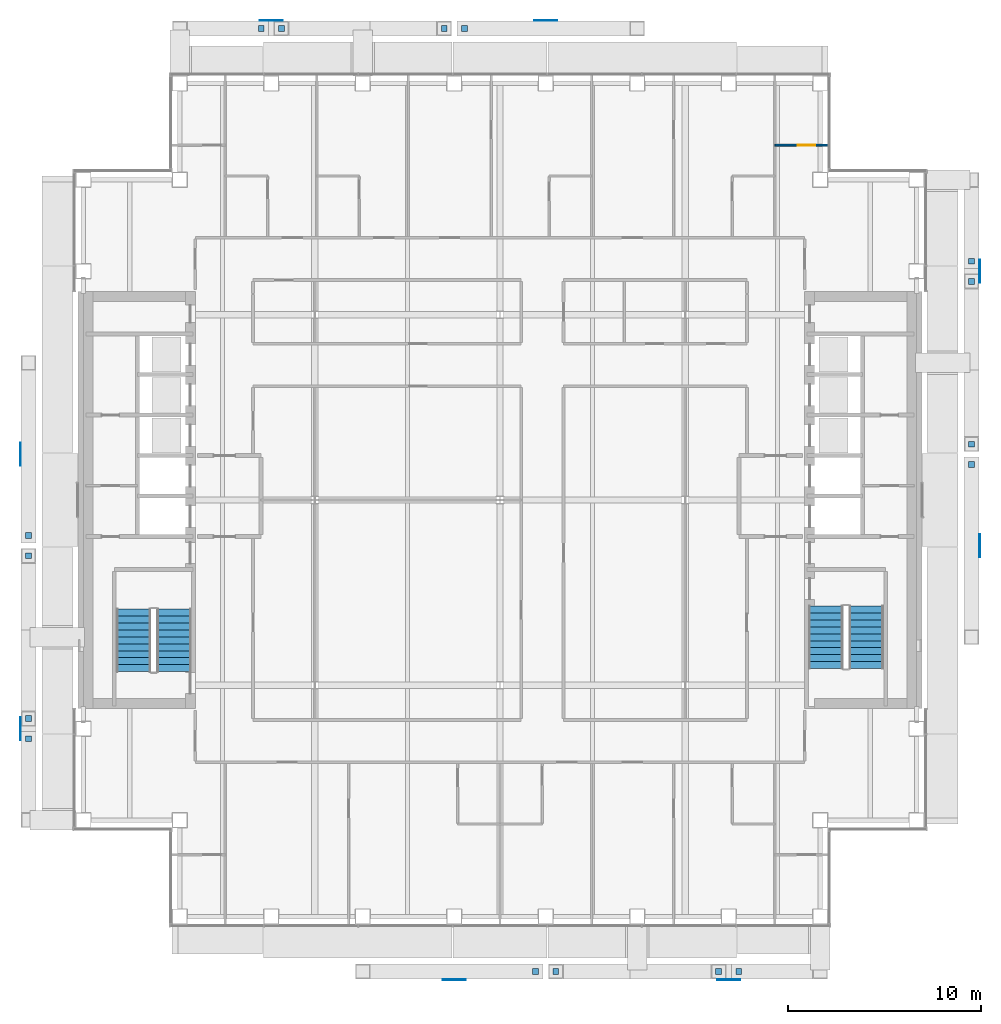
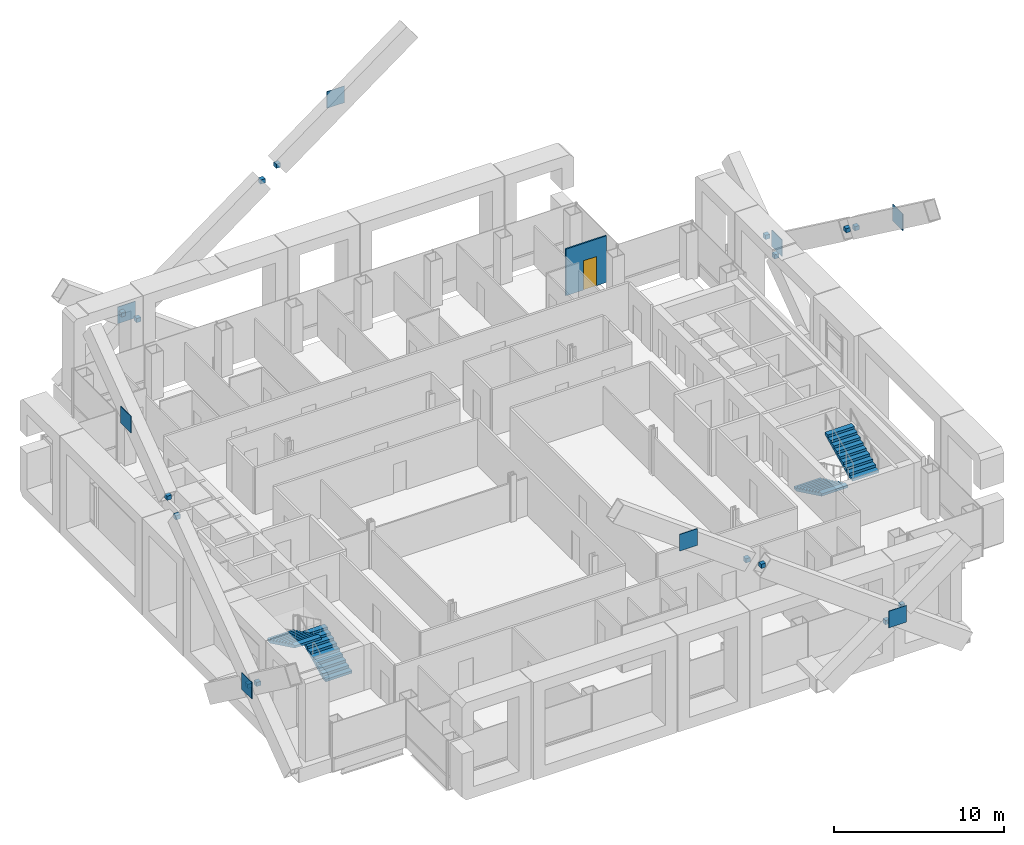
# One storey, part 16 of 22: 24 discrete accessories, 4 stair flights, 1 door, 1 wall, 1 opening, 2 elements without a shape of their own.
"""IFC4 building model written with IfcOpenShell, lengths in metres."""

from ifc_helpers import new_model, si_unit, direction, frame, frame_2d, origin, origin_2d, place, context, subcontext, project, spatial, polyline, rectangle, outline, extrude, material, layer, layer_set, type_object, element, fill, aggregate, save


model = new_model("IFC4")

# Units and contexts
model_context = context("Model", 3, precision=1e-05, world=origin(), true_north=direction((0.0, 1.0)))
body_context = subcontext(model_context, "Body", "Model", "MODEL_VIEW")
ifc_project = project(units=[si_unit("LENGTHUNIT", "METRE"), si_unit("AREAUNIT", "SQUARE_METRE"), si_unit("VOLUMEUNIT", "CUBIC_METRE"), si_unit("PLANEANGLEUNIT", "RADIAN"), si_unit("MASSUNIT", "GRAM", prefix="KILO")], contexts=[model_context])

# Site, building, storey
site_placement = place(None, origin())
site = spatial("IfcSite", under=ifc_project, at=site_placement, CompositionType="ELEMENT")
building_placement = place(site_placement, origin())
building = spatial("IfcBuilding", under=site, at=building_placement, Name="Cobrizo Arcos Hotel Tower", CompositionType="ELEMENT")
storey_placement = place(building_placement, frame((0.0, 0.0, 169.0)))
storey = spatial("IfcBuildingStorey", under=building, at=storey_placement, Name="L43", CompositionType="ELEMENT", Elevation=169.0)

# Wall, opening, door
ifc_material_1 = material(Name="Gypsum board partition")
ifc_layer = layer(ifc_material_1, 0.10009765625)
ifc_layer_set = layer_set([ifc_layer], Name="Partition EI 30 100")
wall_type = type_object("IfcWallType", Name="Partition EI 30 100", PredefinedType="PARTITIONING", material=ifc_layer_set)
wall_placement = place(storey_placement, frame((14.25, 18.39990234375, 0.0), z_axis=(0.0, 0.0, 1.0), x_axis=(1.0, 0.0, 0.0)))
wall = element("IfcWall", 1, at=wall_placement, inside=storey, type_object=wall_type, Name="Partition 045", PredefinedType="PARTITIONING", context=body_context, shape_type="SweptSolid", body=[
    extrude(rectangle(XDim=2.780029296875, YDim=0.10009765625, at=frame_2d((1.39013671875, 0.0))), origin(), (0.0, 0.0, 1.0), 3.35009765625),
])
opening_placement = place(wall_placement, frame((1.18896484375, 0.0, 0.0)))
opening = element("IfcOpeningElement", 2, at=opening_placement, cuts=wall, Name="Opening ED-11", PredefinedType="OPENING", context=body_context, shape_type="SweptSolid", body=[
    extrude(rectangle(XDim=0.89990234375, YDim=2.10009765625, at=frame_2d((0.449951171875, 1.050048828125))), frame((0.0, 0.06201171875, 0.0), z_axis=(0.0, -1.0, 0.0), x_axis=(1.0, 0.0, 0.0)), (0.0, 0.0, 1.0), 0.1240234375),
])
ifc_material_2 = material(Name="Timber door leaf", Category="wood")
door_type = type_object("IfcDoorType", Name="En-suite door 900x2100", OperationType="SINGLE_SWING_LEFT", PredefinedType="DOOR", material=ifc_material_2)
door_placement = place(opening_placement, origin())
door = element("IfcDoor", 3, at=door_placement, inside=storey, type_object=door_type, Name="Door ED-11", OperationType="SINGLE_SWING_LEFT", OverallHeight=2.10009765625, OverallWidth=0.89990234375, PredefinedType="DOOR", context=body_context, shape_type="SweptSolid", body=[
    extrude(rectangle(XDim=0.89990234375, YDim=2.10009765625, at=frame_2d((0.449951171875, 1.050048828125))), frame((0.0, 0.02490234375, 0.0), z_axis=(0.0, -1.0, 0.0), x_axis=(1.0, 0.0, 0.0)), (0.0, 0.0, 1.0), 0.050048828125),
])
fill(opening, door)

# Stair, stair flights
ifc_material_3 = material(Name="Concrete f'c 40 MPa", Category="concrete")
stair_type = type_object("IfcStairType", Name="Exit stair", PredefinedType="HALF_TURN_STAIR", material=ifc_material_3)
stair_1_placement = place(storey_placement, origin())
stair_1 = element("IfcStair", 4, at=stair_1_placement, inside=storey, type_object=stair_type, Name="L43 Exit stair ST-W", PredefinedType="HALF_TURN_STAIR")
stair_flight_type = type_object("IfcStairFlightType", Name="Exit stair flight", PredefinedType="STRAIGHT", material=ifc_material_3)
stair_flight_1_placement = place(storey_placement, frame((-16.89990234375, -8.89990234375, 0.0), z_axis=(0.0, 0.0, 1.0), x_axis=(0.0, 1.0, 0.0)))
stair_flight_1 = element("IfcStairFlight", 5, at=stair_flight_1_placement, type_object=stair_flight_type, Name="ST-W flight 1", NumberOfRisers=10, NumberOfTreads=9, PredefinedType="STRAIGHT", RiserHeight=0.175, TreadLength=0.36, context=body_context, shape_type="SweptSolid", body=[
    extrude(outline(polyline([(0.0, 0.0), (0.0, 0.175048828125), (0.360107421875, 0.175048828125), (0.360107421875, 0.35009765625), (0.719970703125, 0.35009765625), (0.719970703125, 0.52490234375), (1.080078125, 0.52490234375), (1.080078125, 0.699951171875), (1.43994140625, 0.699951171875), (1.43994140625, 0.875), (1.800048828125, 0.875), (1.800048828125, 1.050048828125), (2.159912109375, 1.050048828125), (2.159912109375, 1.22509765625), (2.52001953125, 1.22509765625), (2.52001953125, 1.39990234375), (2.8798828125, 1.39990234375), (2.8798828125, 1.574951171875), (3.239990234375, 1.574951171875), (3.239990234375, 1.75), (3.239990234375, 1.408203125), (0.3427734375, 0.0), (0.0, 0.0)])), frame((0.0, 0.89990234375, 0.0), z_axis=(0.0, -1.0, 0.0), x_axis=(1.0, 0.0, 0.0)), (0.0, 0.0, 1.0), 1.800048828125),
])
stair_flight_2_placement = place(storey_placement, frame((-19.0, -5.659912109375, 1.75), z_axis=(0.0, 0.0, 1.0), x_axis=(0.0, -1.0, 0.0)))
stair_flight_2 = element("IfcStairFlight", 6, at=stair_flight_2_placement, type_object=stair_flight_type, Name="ST-W flight 2", NumberOfRisers=10, NumberOfTreads=9, PredefinedType="STRAIGHT", RiserHeight=0.175, TreadLength=0.36, context=body_context, shape_type="SweptSolid", body=[
    extrude(outline(polyline([(0.0, 0.0), (0.0, 0.175048828125), (0.360107421875, 0.175048828125), (0.360107421875, 0.35009765625), (0.719970703125, 0.35009765625), (0.719970703125, 0.52490234375), (1.080078125, 0.52490234375), (1.080078125, 0.699951171875), (1.43994140625, 0.699951171875), (1.43994140625, 0.875), (1.800048828125, 0.875), (1.800048828125, 1.050048828125), (2.159912109375, 1.050048828125), (2.159912109375, 1.22509765625), (2.52001953125, 1.22509765625), (2.52001953125, 1.39990234375), (2.8798828125, 1.39990234375), (2.8798828125, 1.574951171875), (3.239990234375, 1.574951171875), (3.239990234375, 1.75), (3.239990234375, 1.408203125), (0.3427734375, 0.0), (0.0, 0.0)])), frame((0.0, 0.89990234375, 0.0), z_axis=(0.0, -1.0, 0.0), x_axis=(1.0, 0.0, 0.0)), (0.0, 0.0, 1.0), 1.800048828125),
])
aggregate(stair_1, [stair_flight_1, stair_flight_2])

stair_2_placement = place(storey_placement, origin())
stair_2 = element("IfcStair", 7, at=stair_2_placement, inside=storey, type_object=stair_type, Name="L43 Exit stair ST-E", PredefinedType="HALF_TURN_STAIR")
stair_flight_3_placement = place(storey_placement, frame((16.89990234375, -5.5, 0.0), z_axis=(0.0, 0.0, 1.0), x_axis=(0.0, -1.0, 0.0)))
stair_flight_3 = element("IfcStairFlight", 8, at=stair_flight_3_placement, type_object=stair_flight_type, Name="ST-E flight 1", NumberOfRisers=10, NumberOfTreads=9, PredefinedType="STRAIGHT", RiserHeight=0.175, TreadLength=0.36, context=body_context, shape_type="SweptSolid", body=[
    extrude(outline(polyline([(0.0, 0.0), (0.0, 0.175048828125), (0.360107421875, 0.175048828125), (0.360107421875, 0.35009765625), (0.719970703125, 0.35009765625), (0.719970703125, 0.52490234375), (1.080078125, 0.52490234375), (1.080078125, 0.699951171875), (1.43994140625, 0.699951171875), (1.43994140625, 0.875), (1.800048828125, 0.875), (1.800048828125, 1.050048828125), (2.159912109375, 1.050048828125), (2.159912109375, 1.22509765625), (2.52001953125, 1.22509765625), (2.52001953125, 1.39990234375), (2.8798828125, 1.39990234375), (2.8798828125, 1.574951171875), (3.239990234375, 1.574951171875), (3.239990234375, 1.75), (3.239990234375, 1.408203125), (0.3427734375, 0.0), (0.0, 0.0)])), frame((0.0, 0.89990234375, 0.0), z_axis=(0.0, -1.0, 0.0), x_axis=(1.0, 0.0, 0.0)), (0.0, 0.0, 1.0), 1.800048828125),
])
stair_flight_4_placement = place(storey_placement, frame((19.0, -8.739990234375, 1.75), z_axis=(0.0, 0.0, 1.0), x_axis=(0.0, 1.0, 0.0)))
stair_flight_4 = element("IfcStairFlight", 9, at=stair_flight_4_placement, type_object=stair_flight_type, Name="ST-E flight 2", NumberOfRisers=10, NumberOfTreads=9, PredefinedType="STRAIGHT", RiserHeight=0.175, TreadLength=0.36, context=body_context, shape_type="SweptSolid", body=[
    extrude(outline(polyline([(0.0, 0.0), (0.0, 0.175048828125), (0.360107421875, 0.175048828125), (0.360107421875, 0.35009765625), (0.719970703125, 0.35009765625), (0.719970703125, 0.52490234375), (1.080078125, 0.52490234375), (1.080078125, 0.699951171875), (1.43994140625, 0.699951171875), (1.43994140625, 0.875), (1.800048828125, 0.875), (1.800048828125, 1.050048828125), (2.159912109375, 1.050048828125), (2.159912109375, 1.22509765625), (2.52001953125, 1.22509765625), (2.52001953125, 1.39990234375), (2.8798828125, 1.39990234375), (2.8798828125, 1.574951171875), (3.239990234375, 1.574951171875), (3.239990234375, 1.75), (3.239990234375, 1.408203125), (0.3427734375, 0.0), (0.0, 0.0)])), frame((0.0, 0.89990234375, 0.0), z_axis=(0.0, -1.0, 0.0), x_axis=(1.0, 0.0, 0.0)), (0.0, 0.0, 1.0), 1.800048828125),
])
aggregate(stair_2, [stair_flight_3, stair_flight_4])

# Discrete accessories
ifc_material_4 = material(Name="Steel ASTM A572 Grade 50", Category="steel")
discrete_accessory_type_1 = type_object("IfcDiscreteAccessoryType", Name="GP-1 gusset plate 1200x1200x40", PredefinedType="BRACKET", material=ifc_material_4)
for number, where, z_axis, x_axis, name in (
    (10, (24.8701171875, 11.857177734375, 3.39990234375), (0.0, 0.0, 1.0), (1.0, 0.0, 0.0), "Gusset plate br-Z3-E-13"),
    (11, (24.8701171875, -2.371337890625, 13.89990234375), (0.0, 0.0, 1.0), (1.0, 0.0, 0.0), "Gusset plate br-Z3-E-13"),
):
    element("IfcDiscreteAccessory", number, at=place(storey_placement, frame(where, z_axis=z_axis, x_axis=x_axis)), inside=storey, type_object=discrete_accessory_type_1, Name=name, PredefinedType="BRACKET", context=body_context, shape_type="SweptSolid", body=[
        extrude(rectangle(XDim=0.0400390625, YDim=1.199951171875, at=origin_2d()), origin(), (0.0, 0.0, 1.0), 1.199951171875),
    ])
for number, where, z_axis, x_axis, name in (
    (12, (-11.857177734375, 24.8701171875, 3.39990234375), (0.0, 0.0, 1.0), (1.0, 0.0, 0.0), "Gusset plate br-Z3-N-13"),
    (13, (2.371337890625, 24.8701171875, 13.89990234375), (0.0, 0.0, 1.0), (1.0, 0.0, 0.0), "Gusset plate br-Z3-N-13"),
    (14, (11.857177734375, -24.8701171875, 3.39990234375), (0.0, 0.0, 1.0), (1.0, 0.0, 0.0), "Gusset plate br-Z3-S-13"),
    (15, (-2.371337890625, -24.8701171875, 13.89990234375), (0.0, 0.0, 1.0), (1.0, 0.0, 0.0), "Gusset plate br-Z3-S-13"),
):
    element("IfcDiscreteAccessory", number, at=place(storey_placement, frame(where, z_axis=z_axis, x_axis=x_axis)), inside=storey, type_object=discrete_accessory_type_1, Name=name, PredefinedType="BRACKET", context=body_context, shape_type="SweptSolid", body=[
        extrude(rectangle(XDim=1.199951171875, YDim=0.0400390625, at=origin_2d()), origin(), (0.0, 0.0, 1.0), 1.199951171875),
    ])
for number, where, z_axis, x_axis, name in (
    (16, (-24.8701171875, -11.857177734375, 3.39990234375), (0.0, 0.0, 1.0), (1.0, 0.0, 0.0), "Gusset plate br-Z3-W-13"),
    (17, (-24.8701171875, 2.371337890625, 13.89990234375), (0.0, 0.0, 1.0), (1.0, 0.0, 0.0), "Gusset plate br-Z3-W-13"),
):
    element("IfcDiscreteAccessory", number, at=place(storey_placement, frame(where, z_axis=z_axis, x_axis=x_axis)), inside=storey, type_object=discrete_accessory_type_1, Name=name, PredefinedType="BRACKET", context=body_context, shape_type="SweptSolid", body=[
        extrude(rectangle(XDim=0.0400390625, YDim=1.199951171875, at=origin_2d()), origin(), (0.0, 0.0, 1.0), 1.199951171875),
    ])
discrete_accessory_type_2 = type_object("IfcDiscreteAccessoryType", Name="GP-5 brace end plate 300x300x300", PredefinedType="BRACKET", material=ifc_material_4)
for number, where, z_axis, x_axis, name in (
    (18, (24.449951171875, 11.333984375, 3.4638671875), (0.0, 0.0, 1.0), (1.0, 0.0, 0.0), "Brace end plate"),
    (19, (24.449951171875, 12.38037109375, 4.23583984375), (0.0, 0.0, 1.0), (1.0, 0.0, 0.0), "Brace end plate"),
    (20, (24.449951171875, 2.89453125, 10.4638671875), (0.0, 0.0, 1.0), (1.0, 0.0, 0.0), "Brace end plate"),
    (21, (24.449951171875, 1.84814453125, 11.23583984375), (0.0, 0.0, 1.0), (1.0, 0.0, 0.0), "Brace end plate"),
    (22, (-11.333984375, 24.449951171875, 3.4638671875), (0.0, 0.0, 1.0), (1.0, 0.0, 0.0), "Brace end plate"),
    (23, (-12.38037109375, 24.449951171875, 4.23583984375), (0.0, 0.0, 1.0), (1.0, 0.0, 0.0), "Brace end plate"),
    (24, (-2.89453125, 24.449951171875, 10.4638671875), (0.0, 0.0, 1.0), (1.0, 0.0, 0.0), "Brace end plate"),
    (25, (-1.84814453125, 24.449951171875, 11.23583984375), (0.0, 0.0, 1.0), (1.0, 0.0, 0.0), "Brace end plate"),
    (26, (11.333984375, -24.449951171875, 3.4638671875), (0.0, 0.0, 1.0), (1.0, 0.0, 0.0), "Brace end plate"),
    (27, (12.38037109375, -24.449951171875, 4.23583984375), (0.0, 0.0, 1.0), (1.0, 0.0, 0.0), "Brace end plate"),
    (28, (2.89453125, -24.449951171875, 10.4638671875), (0.0, 0.0, 1.0), (1.0, 0.0, 0.0), "Brace end plate"),
    (29, (1.84814453125, -24.449951171875, 11.23583984375), (0.0, 0.0, 1.0), (1.0, 0.0, 0.0), "Brace end plate"),
    (30, (-24.449951171875, -11.333984375, 3.4638671875), (0.0, 0.0, 1.0), (1.0, 0.0, 0.0), "Brace end plate"),
    (31, (-24.449951171875, -12.38037109375, 4.23583984375), (0.0, 0.0, 1.0), (1.0, 0.0, 0.0), "Brace end plate"),
    (32, (-24.449951171875, -2.89453125, 10.4638671875), (0.0, 0.0, 1.0), (1.0, 0.0, 0.0), "Brace end plate"),
    (33, (-24.449951171875, -1.84814453125, 11.23583984375), (0.0, 0.0, 1.0), (1.0, 0.0, 0.0), "Brace end plate"),
):
    element("IfcDiscreteAccessory", number, at=place(storey_placement, frame(where, z_axis=z_axis, x_axis=x_axis)), inside=storey, type_object=discrete_accessory_type_2, Name=name, PredefinedType="BRACKET", context=body_context, shape_type="SweptSolid", body=[
        extrude(rectangle(XDim=0.300048828125, YDim=0.300048828125, at=origin_2d()), origin(), (0.0, 0.0, 1.0), 0.300048828125),
    ])

save(model, "model.ifc")
